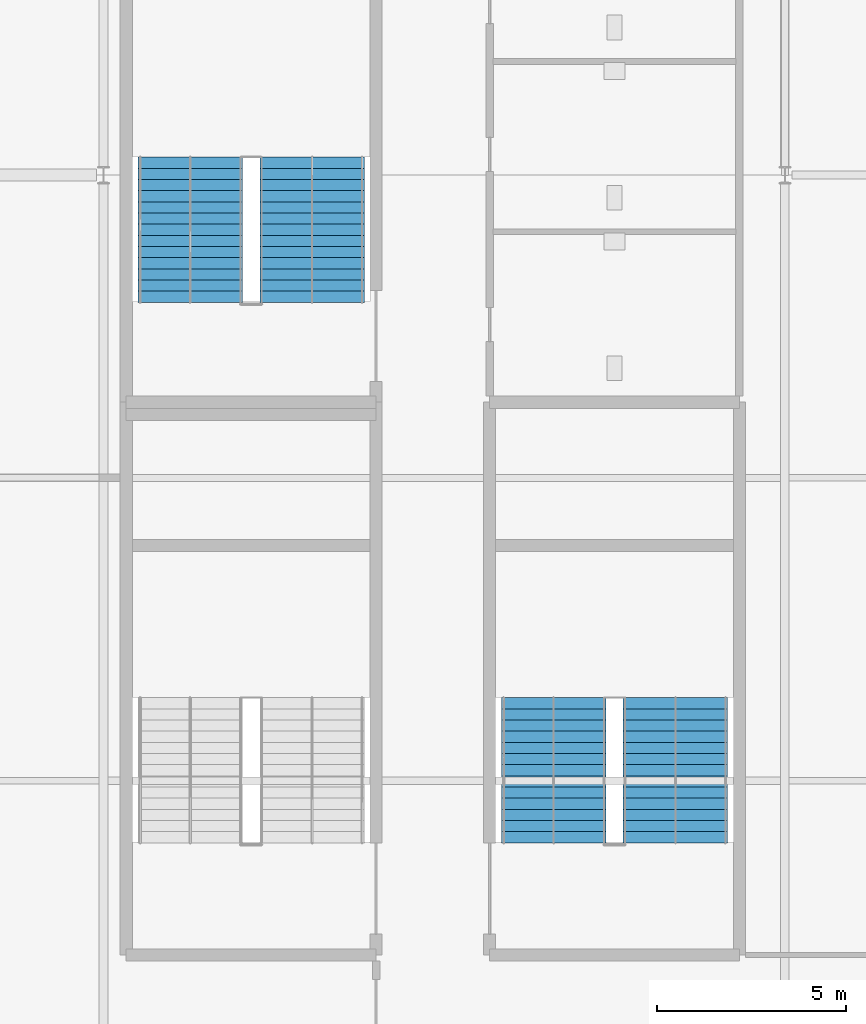
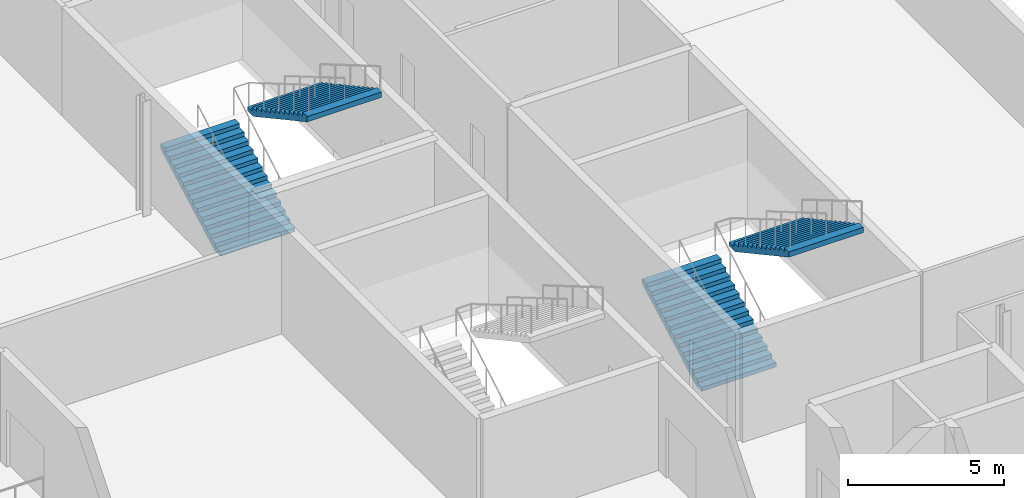
# One storey, part 63 of 73: 4 stair flights, 2 elements without a shape of their own.
"""IFC4 building model written with IfcOpenShell, lengths in metres."""

from ifc_helpers import new_model, si_unit, direction, frame, origin, place, context, subcontext, project, spatial, polygons, material, type_object, element, aggregate, save


model = new_model("IFC4")

# Units and contexts
model_context = context("Model", 3, precision=1e-05, world=origin(), true_north=direction((0.0, 1.0)))
body_context = subcontext(model_context, "Body", "Model", "MODEL_VIEW")
ifc_project = project(units=[si_unit("LENGTHUNIT", "METRE"), si_unit("AREAUNIT", "SQUARE_METRE"), si_unit("VOLUMEUNIT", "CUBIC_METRE"), si_unit("PLANEANGLEUNIT", "RADIAN"), si_unit("MASSUNIT", "GRAM", prefix="KILO")], contexts=[model_context])

# Site, building, storey
site_placement = place(None, origin())
site = spatial("IfcSite", under=ifc_project, at=site_placement, CompositionType="ELEMENT")
building_placement = place(site_placement, origin())
building = spatial("IfcBuilding", under=site, at=building_placement, Name="Kisiwana Market Hall", CompositionType="ELEMENT")
storey_placement = place(building_placement, frame((0.0, 0.0, 33.300048828125)))
storey = spatial("IfcBuildingStorey", under=building, at=storey_placement, Name="L07", CompositionType="ELEMENT", Elevation=33.300048828125)

# Stair, stair flights
ifc_material_1 = material(Name="Concrete C32/40", Category="concrete")
stair_type = type_object("IfcStairType", Name="ST-ESC-4500", PredefinedType="TWO_STRAIGHT_RUN_STAIR", material=ifc_material_1)
stair_1_placement = place(storey_placement, origin())
stair_1 = element("IfcStair", 1, at=stair_1_placement, inside=storey, type_object=stair_type, Name="Escape stair ST-E3-L07", PredefinedType="TWO_STRAIGHT_RUN_STAIR")
ifc_material_2 = material(Name="Concrete C32/40", Category="concrete")
stair_flight_type = type_object("IfcStairFlightType", Name="SF-ESC-4500", PredefinedType="STRAIGHT", material=ifc_material_2)
stair_flight_1_placement = place(storey_placement, frame((182.889892578125, 42.360107421875, 0.0), z_axis=(0.0, 0.0, 1.0), x_axis=(0.0, 1.0, 0.0)))
stair_flight_1 = element("IfcStairFlight", 2, at=stair_flight_1_placement, type_object=stair_flight_type, Name="ST-E3-L07 flight 1", NumberOfRisers=14, NumberOfTreads=13, PredefinedType="STRAIGHT", RiserHeight=0.160714, TreadLength=0.295, context=body_context, shape_type="Tessellation", body=[
    polygons([(0.0, -1.380127, 0.0), (0.0, -0.690125, 0.0), (0.0, -0.000122, 0.0), (0.0, 0.68988, 0.0), (0.0, 1.379883, 0.0), (0.0, -1.380127, 0.160645), (0.0, -0.690125, 0.160645), (0.0, -0.000122, 0.160645), (0.0, 0.68988, 0.160645), (0.0, 1.379883, 0.160645), (0.294922, -1.380127, 0.160645), (0.294922, -0.690125, 0.160645), (0.294922, -0.000122, 0.160645), (0.294922, 0.68988, 0.160645), (0.294922, 1.379883, 0.160645), (0.294922, -1.380127, 0.321533), (0.294922, -0.690125, 0.321533), (0.294922, -0.000122, 0.321533), (0.294922, 0.68988, 0.321533), (0.294922, 1.379883, 0.321533), (0.590088, -1.380127, 0.321533), (0.590088, -0.690125, 0.321533), (0.590088, -0.000122, 0.321533), (0.590088, 0.68988, 0.321533), (0.590088, 1.379883, 0.321533), (0.590088, -1.380127, 0.482178), (0.590088, -0.690125, 0.482178), (0.590088, -0.000122, 0.482178), (0.590088, 0.68988, 0.482178), (0.590088, 1.379883, 0.482178), (0.88501, -1.380127, 0.482178), (0.88501, -0.690125, 0.482178), (0.88501, -0.000122, 0.482178), (0.88501, 0.68988, 0.482178), (0.88501, 1.379883, 0.482178), (0.88501, -1.380127, 0.642822), (0.88501, -0.690125, 0.642822), (0.88501, -0.000122, 0.642822), (0.88501, 0.68988, 0.642822), (0.88501, 1.379883, 0.642822), (1.179932, -1.380127, 0.642822), (1.179932, -0.690125, 0.642822), (1.179932, -0.000122, 0.642822), (1.179932, 0.68988, 0.642822), (1.179932, 1.379883, 0.642822), (1.179932, -1.380127, 0.803467), (1.179932, -0.690125, 0.803467), (1.179932, -0.000122, 0.803467), (1.179932, 0.68988, 0.803467), (1.179932, 1.379883, 0.803467), (1.475098, -1.380127, 0.803467), (1.475098, -0.690125, 0.803467), (1.475098, -0.000122, 0.803467), (1.475098, 0.68988, 0.803467), (1.475098, 1.379883, 0.803467), (1.475098, -1.380127, 0.964355), (1.475098, -0.690125, 0.964355), (1.475098, -0.000122, 0.964355), (1.475098, 0.68988, 0.964355), (1.475098, 1.379883, 0.964355), (1.77002, -1.380127, 0.964355), (1.77002, -0.690125, 0.964355), (1.77002, -0.000122, 0.964355), (1.77002, 0.68988, 0.964355), (1.77002, 1.379883, 0.964355), (1.77002, -1.380127, 1.125), (1.77002, -0.690125, 1.125), (1.77002, -0.000122, 1.125), (1.77002, 0.68988, 1.125), (1.77002, 1.379883, 1.125), (2.064941, -1.380127, 1.125), (2.064941, -0.690125, 1.125), (2.064941, -0.000122, 1.125), (2.064941, 0.68988, 1.125), (2.064941, 1.379883, 1.125), (2.064941, -1.380127, 1.285645), (2.064941, -0.690125, 1.285645), (2.064941, -0.000122, 1.285645), (2.064941, 0.68988, 1.285645), (2.064941, 1.379883, 1.285645), (2.360107, -1.380127, 1.285645), (2.360107, -0.690125, 1.285645), (2.360107, -0.000122, 1.285645), (2.360107, 0.68988, 1.285645), (2.360107, 1.379883, 1.285645), (2.360107, -1.380127, 1.446533), (2.360107, -0.690125, 1.446533), (2.360107, -0.000122, 1.446533), (2.360107, 0.68988, 1.446533), (2.360107, 1.379883, 1.446533), (2.655029, -1.380127, 1.446533), (2.655029, -0.690125, 1.446533), (2.655029, -0.000122, 1.446533), (2.655029, 0.68988, 1.446533), (2.655029, 1.379883, 1.446533), (2.655029, -1.380127, 1.607178), (2.655029, -0.690125, 1.607178), (2.655029, -0.000122, 1.607178), (2.655029, 0.68988, 1.607178), (2.655029, 1.379883, 1.607178), (2.949951, -1.380127, 1.607178), (2.949951, -0.690125, 1.607178), (2.949951, -0.000122, 1.607178), (2.949951, 0.68988, 1.607178), (2.949951, 1.379883, 1.607178), (2.949951, -1.380127, 1.767822), (2.949951, -0.690125, 1.767822), (2.949951, -0.000122, 1.767822), (2.949951, 0.68988, 1.767822), (2.949951, 1.379883, 1.767822), (3.245117, -1.380127, 1.767822), (3.245117, -0.690125, 1.767822), (3.245117, -0.000122, 1.767822), (3.245117, 0.68988, 1.767822), (3.245117, 1.379883, 1.767822), (3.245117, -1.380127, 1.928467), (3.245117, -0.690125, 1.928467), (3.245117, -0.000122, 1.928467), (3.245117, 0.68988, 1.928467), (3.245117, 1.379883, 1.928467), (3.540039, -1.380127, 1.928467), (3.540039, -0.690125, 1.928467), (3.540039, -0.000122, 1.928467), (3.540039, 0.68988, 1.928467), (3.540039, 1.379883, 1.928467), (3.540039, -1.380127, 2.089355), (3.540039, -0.690125, 2.089355), (3.540039, -0.000122, 2.089355), (3.540039, 0.68988, 2.089355), (3.540039, 1.379883, 2.089355), (3.834961, -1.380127, 2.089355), (3.834961, -0.690125, 2.089355), (3.834961, -0.000122, 2.089355), (3.834961, 0.68988, 2.089355), (3.834961, 1.379883, 2.089355), (3.834961, -1.380127, 1.884277), (3.834961, -0.690125, 1.884277), (3.834961, -0.000122, 1.884277), (3.834961, 0.68988, 1.884277), (3.834961, 1.379883, 1.884277), (0.376221, -1.380127, 0.0), (0.376221, -0.690125, 0.0), (0.376221, -0.000122, 0.0), (0.376221, 0.68988, 0.0), (0.376221, 1.379883, 0.0)], [[[1, 6, 7, 2]], [[2, 7, 8, 3]], [[3, 8, 9, 4]], [[4, 9, 10, 5]], [[6, 11, 12, 7]], [[7, 12, 13, 8]], [[8, 13, 14, 9]], [[9, 14, 15, 10]], [[11, 16, 17, 12]], [[12, 17, 18, 13]], [[13, 18, 19, 14]], [[14, 19, 20, 15]], [[16, 21, 22, 17]], [[17, 22, 23, 18]], [[18, 23, 24, 19]], [[19, 24, 25, 20]], [[21, 26, 27, 22]], [[22, 27, 28, 23]], [[23, 28, 29, 24]], [[24, 29, 30, 25]], [[26, 31, 32, 27]], [[27, 32, 33, 28]], [[28, 33, 34, 29]], [[29, 34, 35, 30]], [[31, 36, 37, 32]], [[32, 37, 38, 33]], [[33, 38, 39, 34]], [[34, 39, 40, 35]], [[36, 41, 42, 37]], [[37, 42, 43, 38]], [[38, 43, 44, 39]], [[39, 44, 45, 40]], [[41, 46, 47, 42]], [[42, 47, 48, 43]], [[43, 48, 49, 44]], [[44, 49, 50, 45]], [[46, 51, 52, 47]], [[47, 52, 53, 48]], [[48, 53, 54, 49]], [[49, 54, 55, 50]], [[51, 56, 57, 52]], [[52, 57, 58, 53]], [[53, 58, 59, 54]], [[54, 59, 60, 55]], [[56, 61, 62, 57]], [[57, 62, 63, 58]], [[58, 63, 64, 59]], [[59, 64, 65, 60]], [[61, 66, 67, 62]], [[62, 67, 68, 63]], [[63, 68, 69, 64]], [[64, 69, 70, 65]], [[66, 71, 72, 67]], [[67, 72, 73, 68]], [[68, 73, 74, 69]], [[69, 74, 75, 70]], [[71, 76, 77, 72]], [[72, 77, 78, 73]], [[73, 78, 79, 74]], [[74, 79, 80, 75]], [[76, 81, 82, 77]], [[77, 82, 83, 78]], [[78, 83, 84, 79]], [[79, 84, 85, 80]], [[81, 86, 87, 82]], [[82, 87, 88, 83]], [[83, 88, 89, 84]], [[84, 89, 90, 85]], [[86, 91, 92, 87]], [[87, 92, 93, 88]], [[88, 93, 94, 89]], [[89, 94, 95, 90]], [[91, 96, 97, 92]], [[92, 97, 98, 93]], [[93, 98, 99, 94]], [[94, 99, 100, 95]], [[96, 101, 102, 97]], [[97, 102, 103, 98]], [[98, 103, 104, 99]], [[99, 104, 105, 100]], [[101, 106, 107, 102]], [[102, 107, 108, 103]], [[103, 108, 109, 104]], [[104, 109, 110, 105]], [[106, 111, 112, 107]], [[107, 112, 113, 108]], [[108, 113, 114, 109]], [[109, 114, 115, 110]], [[111, 116, 117, 112]], [[112, 117, 118, 113]], [[113, 118, 119, 114]], [[114, 119, 120, 115]], [[116, 121, 122, 117]], [[117, 122, 123, 118]], [[118, 123, 124, 119]], [[119, 124, 125, 120]], [[121, 126, 127, 122]], [[122, 127, 128, 123]], [[123, 128, 129, 124]], [[124, 129, 130, 125]], [[126, 131, 132, 127]], [[127, 132, 133, 128]], [[128, 133, 134, 129]], [[129, 134, 135, 130]], [[131, 136, 137, 132]], [[132, 137, 138, 133]], [[133, 138, 139, 134]], [[134, 139, 140, 135]], [[136, 141, 142, 137]], [[137, 142, 143, 138]], [[138, 143, 144, 139]], [[139, 144, 145, 140]], [[141, 1, 2, 142]], [[142, 2, 3, 143]], [[143, 3, 4, 144]], [[144, 4, 5, 145]], [[141, 136, 131, 126, 121, 116, 111, 106, 101, 96, 91, 86, 81, 76, 71, 66, 61, 56, 51, 46, 41, 36, 31, 26, 21, 16, 11, 6, 1]], [[5, 10, 15, 20, 25, 30, 35, 40, 45, 50, 55, 60, 65, 70, 75, 80, 85, 90, 95, 100, 105, 110, 115, 120, 125, 130, 135, 140, 145]]], closed=True),
])
stair_flight_2_placement = place(storey_placement, frame((186.110107421875, 46.195068359375, 2.25), z_axis=(0.0, 0.0, 1.0), x_axis=(0.0, -1.0, 0.0)))
stair_flight_2 = element("IfcStairFlight", 3, at=stair_flight_2_placement, type_object=stair_flight_type, Name="ST-E3-L07 flight 2", NumberOfRisers=14, NumberOfTreads=13, PredefinedType="STRAIGHT", RiserHeight=0.160714, TreadLength=0.295, context=body_context, shape_type="Tessellation", body=[
    polygons([(0.0, -1.380127, 0.0), (0.0, -0.690125, 0.0), (0.0, -0.000122, 0.0), (0.0, 0.68988, 0.0), (0.0, 1.379883, 0.0), (0.0, -1.380127, 0.160645), (0.0, -0.690125, 0.160645), (0.0, -0.000122, 0.160645), (0.0, 0.68988, 0.160645), (0.0, 1.379883, 0.160645), (0.294922, -1.380127, 0.160645), (0.294922, -0.690125, 0.160645), (0.294922, -0.000122, 0.160645), (0.294922, 0.68988, 0.160645), (0.294922, 1.379883, 0.160645), (0.294922, -1.380127, 0.321533), (0.294922, -0.690125, 0.321533), (0.294922, -0.000122, 0.321533), (0.294922, 0.68988, 0.321533), (0.294922, 1.379883, 0.321533), (0.590088, -1.380127, 0.321533), (0.590088, -0.690125, 0.321533), (0.590088, -0.000122, 0.321533), (0.590088, 0.68988, 0.321533), (0.590088, 1.379883, 0.321533), (0.590088, -1.380127, 0.482178), (0.590088, -0.690125, 0.482178), (0.590088, -0.000122, 0.482178), (0.590088, 0.68988, 0.482178), (0.590088, 1.379883, 0.482178), (0.88501, -1.380127, 0.482178), (0.88501, -0.690125, 0.482178), (0.88501, -0.000122, 0.482178), (0.88501, 0.68988, 0.482178), (0.88501, 1.379883, 0.482178), (0.88501, -1.380127, 0.642822), (0.88501, -0.690125, 0.642822), (0.88501, -0.000122, 0.642822), (0.88501, 0.68988, 0.642822), (0.88501, 1.379883, 0.642822), (1.179932, -1.380127, 0.642822), (1.179932, -0.690125, 0.642822), (1.179932, -0.000122, 0.642822), (1.179932, 0.68988, 0.642822), (1.179932, 1.379883, 0.642822), (1.179932, -1.380127, 0.803467), (1.179932, -0.690125, 0.803467), (1.179932, -0.000122, 0.803467), (1.179932, 0.68988, 0.803467), (1.179932, 1.379883, 0.803467), (1.475098, -1.380127, 0.803467), (1.475098, -0.690125, 0.803467), (1.475098, -0.000122, 0.803467), (1.475098, 0.68988, 0.803467), (1.475098, 1.379883, 0.803467), (1.475098, -1.380127, 0.964355), (1.475098, -0.690125, 0.964355), (1.475098, -0.000122, 0.964355), (1.475098, 0.68988, 0.964355), (1.475098, 1.379883, 0.964355), (1.77002, -1.380127, 0.964355), (1.77002, -0.690125, 0.964355), (1.77002, -0.000122, 0.964355), (1.77002, 0.68988, 0.964355), (1.77002, 1.379883, 0.964355), (1.77002, -1.380127, 1.125), (1.77002, -0.690125, 1.125), (1.77002, -0.000122, 1.125), (1.77002, 0.68988, 1.125), (1.77002, 1.379883, 1.125), (2.064941, -1.380127, 1.125), (2.064941, -0.690125, 1.125), (2.064941, -0.000122, 1.125), (2.064941, 0.68988, 1.125), (2.064941, 1.379883, 1.125), (2.064941, -1.380127, 1.285645), (2.064941, -0.690125, 1.285645), (2.064941, -0.000122, 1.285645), (2.064941, 0.68988, 1.285645), (2.064941, 1.379883, 1.285645), (2.360107, -1.380127, 1.285645), (2.360107, -0.690125, 1.285645), (2.360107, -0.000122, 1.285645), (2.360107, 0.68988, 1.285645), (2.360107, 1.379883, 1.285645), (2.360107, -1.380127, 1.446533), (2.360107, -0.690125, 1.446533), (2.360107, -0.000122, 1.446533), (2.360107, 0.68988, 1.446533), (2.360107, 1.379883, 1.446533), (2.655029, -1.380127, 1.446533), (2.655029, -0.690125, 1.446533), (2.655029, -0.000122, 1.446533), (2.655029, 0.68988, 1.446533), (2.655029, 1.379883, 1.446533), (2.655029, -1.380127, 1.607178), (2.655029, -0.690125, 1.607178), (2.655029, -0.000122, 1.607178), (2.655029, 0.68988, 1.607178), (2.655029, 1.379883, 1.607178), (2.949951, -1.380127, 1.607178), (2.949951, -0.690125, 1.607178), (2.949951, -0.000122, 1.607178), (2.949951, 0.68988, 1.607178), (2.949951, 1.379883, 1.607178), (2.949951, -1.380127, 1.767822), (2.949951, -0.690125, 1.767822), (2.949951, -0.000122, 1.767822), (2.949951, 0.68988, 1.767822), (2.949951, 1.379883, 1.767822), (3.245117, -1.380127, 1.767822), (3.245117, -0.690125, 1.767822), (3.245117, -0.000122, 1.767822), (3.245117, 0.68988, 1.767822), (3.245117, 1.379883, 1.767822), (3.245117, -1.380127, 1.928467), (3.245117, -0.690125, 1.928467), (3.245117, -0.000122, 1.928467), (3.245117, 0.68988, 1.928467), (3.245117, 1.379883, 1.928467), (3.540039, -1.380127, 1.928467), (3.540039, -0.690125, 1.928467), (3.540039, -0.000122, 1.928467), (3.540039, 0.68988, 1.928467), (3.540039, 1.379883, 1.928467), (3.540039, -1.380127, 2.089355), (3.540039, -0.690125, 2.089355), (3.540039, -0.000122, 2.089355), (3.540039, 0.68988, 2.089355), (3.540039, 1.379883, 2.089355), (3.834961, -1.380127, 2.089355), (3.834961, -0.690125, 2.089355), (3.834961, -0.000122, 2.089355), (3.834961, 0.68988, 2.089355), (3.834961, 1.379883, 2.089355), (3.834961, -1.380127, 1.884277), (3.834961, -0.690125, 1.884277), (3.834961, -0.000122, 1.884277), (3.834961, 0.68988, 1.884277), (3.834961, 1.379883, 1.884277), (0.376221, -1.380127, 0.0), (0.376221, -0.690125, 0.0), (0.376221, -0.000122, 0.0), (0.376221, 0.68988, 0.0), (0.376221, 1.379883, 0.0)], [[[1, 6, 7, 2]], [[2, 7, 8, 3]], [[3, 8, 9, 4]], [[4, 9, 10, 5]], [[6, 11, 12, 7]], [[7, 12, 13, 8]], [[8, 13, 14, 9]], [[9, 14, 15, 10]], [[11, 16, 17, 12]], [[12, 17, 18, 13]], [[13, 18, 19, 14]], [[14, 19, 20, 15]], [[16, 21, 22, 17]], [[17, 22, 23, 18]], [[18, 23, 24, 19]], [[19, 24, 25, 20]], [[21, 26, 27, 22]], [[22, 27, 28, 23]], [[23, 28, 29, 24]], [[24, 29, 30, 25]], [[26, 31, 32, 27]], [[27, 32, 33, 28]], [[28, 33, 34, 29]], [[29, 34, 35, 30]], [[31, 36, 37, 32]], [[32, 37, 38, 33]], [[33, 38, 39, 34]], [[34, 39, 40, 35]], [[36, 41, 42, 37]], [[37, 42, 43, 38]], [[38, 43, 44, 39]], [[39, 44, 45, 40]], [[41, 46, 47, 42]], [[42, 47, 48, 43]], [[43, 48, 49, 44]], [[44, 49, 50, 45]], [[46, 51, 52, 47]], [[47, 52, 53, 48]], [[48, 53, 54, 49]], [[49, 54, 55, 50]], [[51, 56, 57, 52]], [[52, 57, 58, 53]], [[53, 58, 59, 54]], [[54, 59, 60, 55]], [[56, 61, 62, 57]], [[57, 62, 63, 58]], [[58, 63, 64, 59]], [[59, 64, 65, 60]], [[61, 66, 67, 62]], [[62, 67, 68, 63]], [[63, 68, 69, 64]], [[64, 69, 70, 65]], [[66, 71, 72, 67]], [[67, 72, 73, 68]], [[68, 73, 74, 69]], [[69, 74, 75, 70]], [[71, 76, 77, 72]], [[72, 77, 78, 73]], [[73, 78, 79, 74]], [[74, 79, 80, 75]], [[76, 81, 82, 77]], [[77, 82, 83, 78]], [[78, 83, 84, 79]], [[79, 84, 85, 80]], [[81, 86, 87, 82]], [[82, 87, 88, 83]], [[83, 88, 89, 84]], [[84, 89, 90, 85]], [[86, 91, 92, 87]], [[87, 92, 93, 88]], [[88, 93, 94, 89]], [[89, 94, 95, 90]], [[91, 96, 97, 92]], [[92, 97, 98, 93]], [[93, 98, 99, 94]], [[94, 99, 100, 95]], [[96, 101, 102, 97]], [[97, 102, 103, 98]], [[98, 103, 104, 99]], [[99, 104, 105, 100]], [[101, 106, 107, 102]], [[102, 107, 108, 103]], [[103, 108, 109, 104]], [[104, 109, 110, 105]], [[106, 111, 112, 107]], [[107, 112, 113, 108]], [[108, 113, 114, 109]], [[109, 114, 115, 110]], [[111, 116, 117, 112]], [[112, 117, 118, 113]], [[113, 118, 119, 114]], [[114, 119, 120, 115]], [[116, 121, 122, 117]], [[117, 122, 123, 118]], [[118, 123, 124, 119]], [[119, 124, 125, 120]], [[121, 126, 127, 122]], [[122, 127, 128, 123]], [[123, 128, 129, 124]], [[124, 129, 130, 125]], [[126, 131, 132, 127]], [[127, 132, 133, 128]], [[128, 133, 134, 129]], [[129, 134, 135, 130]], [[131, 136, 137, 132]], [[132, 137, 138, 133]], [[133, 138, 139, 134]], [[134, 139, 140, 135]], [[136, 141, 142, 137]], [[137, 142, 143, 138]], [[138, 143, 144, 139]], [[139, 144, 145, 140]], [[141, 1, 2, 142]], [[142, 2, 3, 143]], [[143, 3, 4, 144]], [[144, 4, 5, 145]], [[141, 136, 131, 126, 121, 116, 111, 106, 101, 96, 91, 86, 81, 76, 71, 66, 61, 56, 51, 46, 41, 36, 31, 26, 21, 16, 11, 6, 1]], [[5, 10, 15, 20, 25, 30, 35, 40, 45, 50, 55, 60, 65, 70, 75, 80, 85, 90, 95, 100, 105, 110, 115, 120, 125, 130, 135, 140, 145]]], closed=True),
])
aggregate(stair_1, [stair_flight_1, stair_flight_2])

stair_2_placement = place(storey_placement, origin())
stair_2 = element("IfcStair", 4, at=stair_2_placement, inside=storey, type_object=stair_type, Name="Escape stair ST-E5-L07", PredefinedType="TWO_STRAIGHT_RUN_STAIR")
stair_flight_3_placement = place(storey_placement, frame((173.2900390625, 56.639892578125, 0.0), z_axis=(0.0, 0.0, 1.0), x_axis=(0.0, 1.0, 0.0)))
stair_flight_3 = element("IfcStairFlight", 5, at=stair_flight_3_placement, type_object=stair_flight_type, Name="ST-E5-L07 flight 1", NumberOfRisers=14, NumberOfTreads=13, PredefinedType="STRAIGHT", RiserHeight=0.160714, TreadLength=0.295, context=body_context, shape_type="Tessellation", body=[
    polygons([(0.0, -1.380127, 0.0), (0.0, -0.690125, 0.0), (0.0, -0.000122, 0.0), (0.0, 0.68988, 0.0), (0.0, 1.379883, 0.0), (0.0, -1.380127, 0.160645), (0.0, -0.690125, 0.160645), (0.0, -0.000122, 0.160645), (0.0, 0.68988, 0.160645), (0.0, 1.379883, 0.160645), (0.294922, -1.380127, 0.160645), (0.294922, -0.690125, 0.160645), (0.294922, -0.000122, 0.160645), (0.294922, 0.68988, 0.160645), (0.294922, 1.379883, 0.160645), (0.294922, -1.380127, 0.321533), (0.294922, -0.690125, 0.321533), (0.294922, -0.000122, 0.321533), (0.294922, 0.68988, 0.321533), (0.294922, 1.379883, 0.321533), (0.590088, -1.380127, 0.321533), (0.590088, -0.690125, 0.321533), (0.590088, -0.000122, 0.321533), (0.590088, 0.68988, 0.321533), (0.590088, 1.379883, 0.321533), (0.590088, -1.380127, 0.482178), (0.590088, -0.690125, 0.482178), (0.590088, -0.000122, 0.482178), (0.590088, 0.68988, 0.482178), (0.590088, 1.379883, 0.482178), (0.88501, -1.380127, 0.482178), (0.88501, -0.690125, 0.482178), (0.88501, -0.000122, 0.482178), (0.88501, 0.68988, 0.482178), (0.88501, 1.379883, 0.482178), (0.88501, -1.380127, 0.642822), (0.88501, -0.690125, 0.642822), (0.88501, -0.000122, 0.642822), (0.88501, 0.68988, 0.642822), (0.88501, 1.379883, 0.642822), (1.179932, -1.380127, 0.642822), (1.179932, -0.690125, 0.642822), (1.179932, -0.000122, 0.642822), (1.179932, 0.68988, 0.642822), (1.179932, 1.379883, 0.642822), (1.179932, -1.380127, 0.803467), (1.179932, -0.690125, 0.803467), (1.179932, -0.000122, 0.803467), (1.179932, 0.68988, 0.803467), (1.179932, 1.379883, 0.803467), (1.475098, -1.380127, 0.803467), (1.475098, -0.690125, 0.803467), (1.475098, -0.000122, 0.803467), (1.475098, 0.68988, 0.803467), (1.475098, 1.379883, 0.803467), (1.475098, -1.380127, 0.964355), (1.475098, -0.690125, 0.964355), (1.475098, -0.000122, 0.964355), (1.475098, 0.68988, 0.964355), (1.475098, 1.379883, 0.964355), (1.77002, -1.380127, 0.964355), (1.77002, -0.690125, 0.964355), (1.77002, -0.000122, 0.964355), (1.77002, 0.68988, 0.964355), (1.77002, 1.379883, 0.964355), (1.77002, -1.380127, 1.125), (1.77002, -0.690125, 1.125), (1.77002, -0.000122, 1.125), (1.77002, 0.68988, 1.125), (1.77002, 1.379883, 1.125), (2.064941, -1.380127, 1.125), (2.064941, -0.690125, 1.125), (2.064941, -0.000122, 1.125), (2.064941, 0.68988, 1.125), (2.064941, 1.379883, 1.125), (2.064941, -1.380127, 1.285645), (2.064941, -0.690125, 1.285645), (2.064941, -0.000122, 1.285645), (2.064941, 0.68988, 1.285645), (2.064941, 1.379883, 1.285645), (2.360107, -1.380127, 1.285645), (2.360107, -0.690125, 1.285645), (2.360107, -0.000122, 1.285645), (2.360107, 0.68988, 1.285645), (2.360107, 1.379883, 1.285645), (2.360107, -1.380127, 1.446533), (2.360107, -0.690125, 1.446533), (2.360107, -0.000122, 1.446533), (2.360107, 0.68988, 1.446533), (2.360107, 1.379883, 1.446533), (2.655029, -1.380127, 1.446533), (2.655029, -0.690125, 1.446533), (2.655029, -0.000122, 1.446533), (2.655029, 0.68988, 1.446533), (2.655029, 1.379883, 1.446533), (2.655029, -1.380127, 1.607178), (2.655029, -0.690125, 1.607178), (2.655029, -0.000122, 1.607178), (2.655029, 0.68988, 1.607178), (2.655029, 1.379883, 1.607178), (2.949951, -1.380127, 1.607178), (2.949951, -0.690125, 1.607178), (2.949951, -0.000122, 1.607178), (2.949951, 0.68988, 1.607178), (2.949951, 1.379883, 1.607178), (2.949951, -1.380127, 1.767822), (2.949951, -0.690125, 1.767822), (2.949951, -0.000122, 1.767822), (2.949951, 0.68988, 1.767822), (2.949951, 1.379883, 1.767822), (3.245117, -1.380127, 1.767822), (3.245117, -0.690125, 1.767822), (3.245117, -0.000122, 1.767822), (3.245117, 0.68988, 1.767822), (3.245117, 1.379883, 1.767822), (3.245117, -1.380127, 1.928467), (3.245117, -0.690125, 1.928467), (3.245117, -0.000122, 1.928467), (3.245117, 0.68988, 1.928467), (3.245117, 1.379883, 1.928467), (3.540039, -1.380127, 1.928467), (3.540039, -0.690125, 1.928467), (3.540039, -0.000122, 1.928467), (3.540039, 0.68988, 1.928467), (3.540039, 1.379883, 1.928467), (3.540039, -1.380127, 2.089355), (3.540039, -0.690125, 2.089355), (3.540039, -0.000122, 2.089355), (3.540039, 0.68988, 2.089355), (3.540039, 1.379883, 2.089355), (3.834961, -1.380127, 2.089355), (3.834961, -0.690125, 2.089355), (3.834961, -0.000122, 2.089355), (3.834961, 0.68988, 2.089355), (3.834961, 1.379883, 2.089355), (3.834961, -1.380127, 1.884277), (3.834961, -0.690125, 1.884277), (3.834961, -0.000122, 1.884277), (3.834961, 0.68988, 1.884277), (3.834961, 1.379883, 1.884277), (0.376221, -1.380127, 0.0), (0.376221, -0.690125, 0.0), (0.376221, -0.000122, 0.0), (0.376221, 0.68988, 0.0), (0.376221, 1.379883, 0.0)], [[[1, 6, 7, 2]], [[2, 7, 8, 3]], [[3, 8, 9, 4]], [[4, 9, 10, 5]], [[6, 11, 12, 7]], [[7, 12, 13, 8]], [[8, 13, 14, 9]], [[9, 14, 15, 10]], [[11, 16, 17, 12]], [[12, 17, 18, 13]], [[13, 18, 19, 14]], [[14, 19, 20, 15]], [[16, 21, 22, 17]], [[17, 22, 23, 18]], [[18, 23, 24, 19]], [[19, 24, 25, 20]], [[21, 26, 27, 22]], [[22, 27, 28, 23]], [[23, 28, 29, 24]], [[24, 29, 30, 25]], [[26, 31, 32, 27]], [[27, 32, 33, 28]], [[28, 33, 34, 29]], [[29, 34, 35, 30]], [[31, 36, 37, 32]], [[32, 37, 38, 33]], [[33, 38, 39, 34]], [[34, 39, 40, 35]], [[36, 41, 42, 37]], [[37, 42, 43, 38]], [[38, 43, 44, 39]], [[39, 44, 45, 40]], [[41, 46, 47, 42]], [[42, 47, 48, 43]], [[43, 48, 49, 44]], [[44, 49, 50, 45]], [[46, 51, 52, 47]], [[47, 52, 53, 48]], [[48, 53, 54, 49]], [[49, 54, 55, 50]], [[51, 56, 57, 52]], [[52, 57, 58, 53]], [[53, 58, 59, 54]], [[54, 59, 60, 55]], [[56, 61, 62, 57]], [[57, 62, 63, 58]], [[58, 63, 64, 59]], [[59, 64, 65, 60]], [[61, 66, 67, 62]], [[62, 67, 68, 63]], [[63, 68, 69, 64]], [[64, 69, 70, 65]], [[66, 71, 72, 67]], [[67, 72, 73, 68]], [[68, 73, 74, 69]], [[69, 74, 75, 70]], [[71, 76, 77, 72]], [[72, 77, 78, 73]], [[73, 78, 79, 74]], [[74, 79, 80, 75]], [[76, 81, 82, 77]], [[77, 82, 83, 78]], [[78, 83, 84, 79]], [[79, 84, 85, 80]], [[81, 86, 87, 82]], [[82, 87, 88, 83]], [[83, 88, 89, 84]], [[84, 89, 90, 85]], [[86, 91, 92, 87]], [[87, 92, 93, 88]], [[88, 93, 94, 89]], [[89, 94, 95, 90]], [[91, 96, 97, 92]], [[92, 97, 98, 93]], [[93, 98, 99, 94]], [[94, 99, 100, 95]], [[96, 101, 102, 97]], [[97, 102, 103, 98]], [[98, 103, 104, 99]], [[99, 104, 105, 100]], [[101, 106, 107, 102]], [[102, 107, 108, 103]], [[103, 108, 109, 104]], [[104, 109, 110, 105]], [[106, 111, 112, 107]], [[107, 112, 113, 108]], [[108, 113, 114, 109]], [[109, 114, 115, 110]], [[111, 116, 117, 112]], [[112, 117, 118, 113]], [[113, 118, 119, 114]], [[114, 119, 120, 115]], [[116, 121, 122, 117]], [[117, 122, 123, 118]], [[118, 123, 124, 119]], [[119, 124, 125, 120]], [[121, 126, 127, 122]], [[122, 127, 128, 123]], [[123, 128, 129, 124]], [[124, 129, 130, 125]], [[126, 131, 132, 127]], [[127, 132, 133, 128]], [[128, 133, 134, 129]], [[129, 134, 135, 130]], [[131, 136, 137, 132]], [[132, 137, 138, 133]], [[133, 138, 139, 134]], [[134, 139, 140, 135]], [[136, 141, 142, 137]], [[137, 142, 143, 138]], [[138, 143, 144, 139]], [[139, 144, 145, 140]], [[141, 1, 2, 142]], [[142, 2, 3, 143]], [[143, 3, 4, 144]], [[144, 4, 5, 145]], [[141, 136, 131, 126, 121, 116, 111, 106, 101, 96, 91, 86, 81, 76, 71, 66, 61, 56, 51, 46, 41, 36, 31, 26, 21, 16, 11, 6, 1]], [[5, 10, 15, 20, 25, 30, 35, 40, 45, 50, 55, 60, 65, 70, 75, 80, 85, 90, 95, 100, 105, 110, 115, 120, 125, 130, 135, 140, 145]]], closed=True),
])
stair_flight_4_placement = place(storey_placement, frame((176.510009765625, 60.47509765625, 2.25), z_axis=(0.0, 0.0, 1.0), x_axis=(0.0, -1.0, 0.0)))
stair_flight_4 = element("IfcStairFlight", 6, at=stair_flight_4_placement, type_object=stair_flight_type, Name="ST-E5-L07 flight 2", NumberOfRisers=14, NumberOfTreads=13, PredefinedType="STRAIGHT", RiserHeight=0.160714, TreadLength=0.295, context=body_context, shape_type="Tessellation", body=[
    polygons([(0.0, -1.380127, 0.0), (0.0, -0.690125, 0.0), (0.0, -0.000122, 0.0), (0.0, 0.68988, 0.0), (0.0, 1.379883, 0.0), (0.0, -1.380127, 0.160645), (0.0, -0.690125, 0.160645), (0.0, -0.000122, 0.160645), (0.0, 0.68988, 0.160645), (0.0, 1.379883, 0.160645), (0.294922, -1.380127, 0.160645), (0.294922, -0.690125, 0.160645), (0.294922, -0.000122, 0.160645), (0.294922, 0.68988, 0.160645), (0.294922, 1.379883, 0.160645), (0.294922, -1.380127, 0.321533), (0.294922, -0.690125, 0.321533), (0.294922, -0.000122, 0.321533), (0.294922, 0.68988, 0.321533), (0.294922, 1.379883, 0.321533), (0.590088, -1.380127, 0.321533), (0.590088, -0.690125, 0.321533), (0.590088, -0.000122, 0.321533), (0.590088, 0.68988, 0.321533), (0.590088, 1.379883, 0.321533), (0.590088, -1.380127, 0.482178), (0.590088, -0.690125, 0.482178), (0.590088, -0.000122, 0.482178), (0.590088, 0.68988, 0.482178), (0.590088, 1.379883, 0.482178), (0.88501, -1.380127, 0.482178), (0.88501, -0.690125, 0.482178), (0.88501, -0.000122, 0.482178), (0.88501, 0.68988, 0.482178), (0.88501, 1.379883, 0.482178), (0.88501, -1.380127, 0.642822), (0.88501, -0.690125, 0.642822), (0.88501, -0.000122, 0.642822), (0.88501, 0.68988, 0.642822), (0.88501, 1.379883, 0.642822), (1.179932, -1.380127, 0.642822), (1.179932, -0.690125, 0.642822), (1.179932, -0.000122, 0.642822), (1.179932, 0.68988, 0.642822), (1.179932, 1.379883, 0.642822), (1.179932, -1.380127, 0.803467), (1.179932, -0.690125, 0.803467), (1.179932, -0.000122, 0.803467), (1.179932, 0.68988, 0.803467), (1.179932, 1.379883, 0.803467), (1.475098, -1.380127, 0.803467), (1.475098, -0.690125, 0.803467), (1.475098, -0.000122, 0.803467), (1.475098, 0.68988, 0.803467), (1.475098, 1.379883, 0.803467), (1.475098, -1.380127, 0.964355), (1.475098, -0.690125, 0.964355), (1.475098, -0.000122, 0.964355), (1.475098, 0.68988, 0.964355), (1.475098, 1.379883, 0.964355), (1.77002, -1.380127, 0.964355), (1.77002, -0.690125, 0.964355), (1.77002, -0.000122, 0.964355), (1.77002, 0.68988, 0.964355), (1.77002, 1.379883, 0.964355), (1.77002, -1.380127, 1.125), (1.77002, -0.690125, 1.125), (1.77002, -0.000122, 1.125), (1.77002, 0.68988, 1.125), (1.77002, 1.379883, 1.125), (2.064941, -1.380127, 1.125), (2.064941, -0.690125, 1.125), (2.064941, -0.000122, 1.125), (2.064941, 0.68988, 1.125), (2.064941, 1.379883, 1.125), (2.064941, -1.380127, 1.285645), (2.064941, -0.690125, 1.285645), (2.064941, -0.000122, 1.285645), (2.064941, 0.68988, 1.285645), (2.064941, 1.379883, 1.285645), (2.360107, -1.380127, 1.285645), (2.360107, -0.690125, 1.285645), (2.360107, -0.000122, 1.285645), (2.360107, 0.68988, 1.285645), (2.360107, 1.379883, 1.285645), (2.360107, -1.380127, 1.446533), (2.360107, -0.690125, 1.446533), (2.360107, -0.000122, 1.446533), (2.360107, 0.68988, 1.446533), (2.360107, 1.379883, 1.446533), (2.655029, -1.380127, 1.446533), (2.655029, -0.690125, 1.446533), (2.655029, -0.000122, 1.446533), (2.655029, 0.68988, 1.446533), (2.655029, 1.379883, 1.446533), (2.655029, -1.380127, 1.607178), (2.655029, -0.690125, 1.607178), (2.655029, -0.000122, 1.607178), (2.655029, 0.68988, 1.607178), (2.655029, 1.379883, 1.607178), (2.949951, -1.380127, 1.607178), (2.949951, -0.690125, 1.607178), (2.949951, -0.000122, 1.607178), (2.949951, 0.68988, 1.607178), (2.949951, 1.379883, 1.607178), (2.949951, -1.380127, 1.767822), (2.949951, -0.690125, 1.767822), (2.949951, -0.000122, 1.767822), (2.949951, 0.68988, 1.767822), (2.949951, 1.379883, 1.767822), (3.245117, -1.380127, 1.767822), (3.245117, -0.690125, 1.767822), (3.245117, -0.000122, 1.767822), (3.245117, 0.68988, 1.767822), (3.245117, 1.379883, 1.767822), (3.245117, -1.380127, 1.928467), (3.245117, -0.690125, 1.928467), (3.245117, -0.000122, 1.928467), (3.245117, 0.68988, 1.928467), (3.245117, 1.379883, 1.928467), (3.540039, -1.380127, 1.928467), (3.540039, -0.690125, 1.928467), (3.540039, -0.000122, 1.928467), (3.540039, 0.68988, 1.928467), (3.540039, 1.379883, 1.928467), (3.540039, -1.380127, 2.089355), (3.540039, -0.690125, 2.089355), (3.540039, -0.000122, 2.089355), (3.540039, 0.68988, 2.089355), (3.540039, 1.379883, 2.089355), (3.834961, -1.380127, 2.089355), (3.834961, -0.690125, 2.089355), (3.834961, -0.000122, 2.089355), (3.834961, 0.68988, 2.089355), (3.834961, 1.379883, 2.089355), (3.834961, -1.380127, 1.884277), (3.834961, -0.690125, 1.884277), (3.834961, -0.000122, 1.884277), (3.834961, 0.68988, 1.884277), (3.834961, 1.379883, 1.884277), (0.376221, -1.380127, 0.0), (0.376221, -0.690125, 0.0), (0.376221, -0.000122, 0.0), (0.376221, 0.68988, 0.0), (0.376221, 1.379883, 0.0)], [[[1, 6, 7, 2]], [[2, 7, 8, 3]], [[3, 8, 9, 4]], [[4, 9, 10, 5]], [[6, 11, 12, 7]], [[7, 12, 13, 8]], [[8, 13, 14, 9]], [[9, 14, 15, 10]], [[11, 16, 17, 12]], [[12, 17, 18, 13]], [[13, 18, 19, 14]], [[14, 19, 20, 15]], [[16, 21, 22, 17]], [[17, 22, 23, 18]], [[18, 23, 24, 19]], [[19, 24, 25, 20]], [[21, 26, 27, 22]], [[22, 27, 28, 23]], [[23, 28, 29, 24]], [[24, 29, 30, 25]], [[26, 31, 32, 27]], [[27, 32, 33, 28]], [[28, 33, 34, 29]], [[29, 34, 35, 30]], [[31, 36, 37, 32]], [[32, 37, 38, 33]], [[33, 38, 39, 34]], [[34, 39, 40, 35]], [[36, 41, 42, 37]], [[37, 42, 43, 38]], [[38, 43, 44, 39]], [[39, 44, 45, 40]], [[41, 46, 47, 42]], [[42, 47, 48, 43]], [[43, 48, 49, 44]], [[44, 49, 50, 45]], [[46, 51, 52, 47]], [[47, 52, 53, 48]], [[48, 53, 54, 49]], [[49, 54, 55, 50]], [[51, 56, 57, 52]], [[52, 57, 58, 53]], [[53, 58, 59, 54]], [[54, 59, 60, 55]], [[56, 61, 62, 57]], [[57, 62, 63, 58]], [[58, 63, 64, 59]], [[59, 64, 65, 60]], [[61, 66, 67, 62]], [[62, 67, 68, 63]], [[63, 68, 69, 64]], [[64, 69, 70, 65]], [[66, 71, 72, 67]], [[67, 72, 73, 68]], [[68, 73, 74, 69]], [[69, 74, 75, 70]], [[71, 76, 77, 72]], [[72, 77, 78, 73]], [[73, 78, 79, 74]], [[74, 79, 80, 75]], [[76, 81, 82, 77]], [[77, 82, 83, 78]], [[78, 83, 84, 79]], [[79, 84, 85, 80]], [[81, 86, 87, 82]], [[82, 87, 88, 83]], [[83, 88, 89, 84]], [[84, 89, 90, 85]], [[86, 91, 92, 87]], [[87, 92, 93, 88]], [[88, 93, 94, 89]], [[89, 94, 95, 90]], [[91, 96, 97, 92]], [[92, 97, 98, 93]], [[93, 98, 99, 94]], [[94, 99, 100, 95]], [[96, 101, 102, 97]], [[97, 102, 103, 98]], [[98, 103, 104, 99]], [[99, 104, 105, 100]], [[101, 106, 107, 102]], [[102, 107, 108, 103]], [[103, 108, 109, 104]], [[104, 109, 110, 105]], [[106, 111, 112, 107]], [[107, 112, 113, 108]], [[108, 113, 114, 109]], [[109, 114, 115, 110]], [[111, 116, 117, 112]], [[112, 117, 118, 113]], [[113, 118, 119, 114]], [[114, 119, 120, 115]], [[116, 121, 122, 117]], [[117, 122, 123, 118]], [[118, 123, 124, 119]], [[119, 124, 125, 120]], [[121, 126, 127, 122]], [[122, 127, 128, 123]], [[123, 128, 129, 124]], [[124, 129, 130, 125]], [[126, 131, 132, 127]], [[127, 132, 133, 128]], [[128, 133, 134, 129]], [[129, 134, 135, 130]], [[131, 136, 137, 132]], [[132, 137, 138, 133]], [[133, 138, 139, 134]], [[134, 139, 140, 135]], [[136, 141, 142, 137]], [[137, 142, 143, 138]], [[138, 143, 144, 139]], [[139, 144, 145, 140]], [[141, 1, 2, 142]], [[142, 2, 3, 143]], [[143, 3, 4, 144]], [[144, 4, 5, 145]], [[141, 136, 131, 126, 121, 116, 111, 106, 101, 96, 91, 86, 81, 76, 71, 66, 61, 56, 51, 46, 41, 36, 31, 26, 21, 16, 11, 6, 1]], [[5, 10, 15, 20, 25, 30, 35, 40, 45, 50, 55, 60, 65, 70, 75, 80, 85, 90, 95, 100, 105, 110, 115, 120, 125, 130, 135, 140, 145]]], closed=True),
])
aggregate(stair_2, [stair_flight_3, stair_flight_4])

save(model, "model.ifc")
